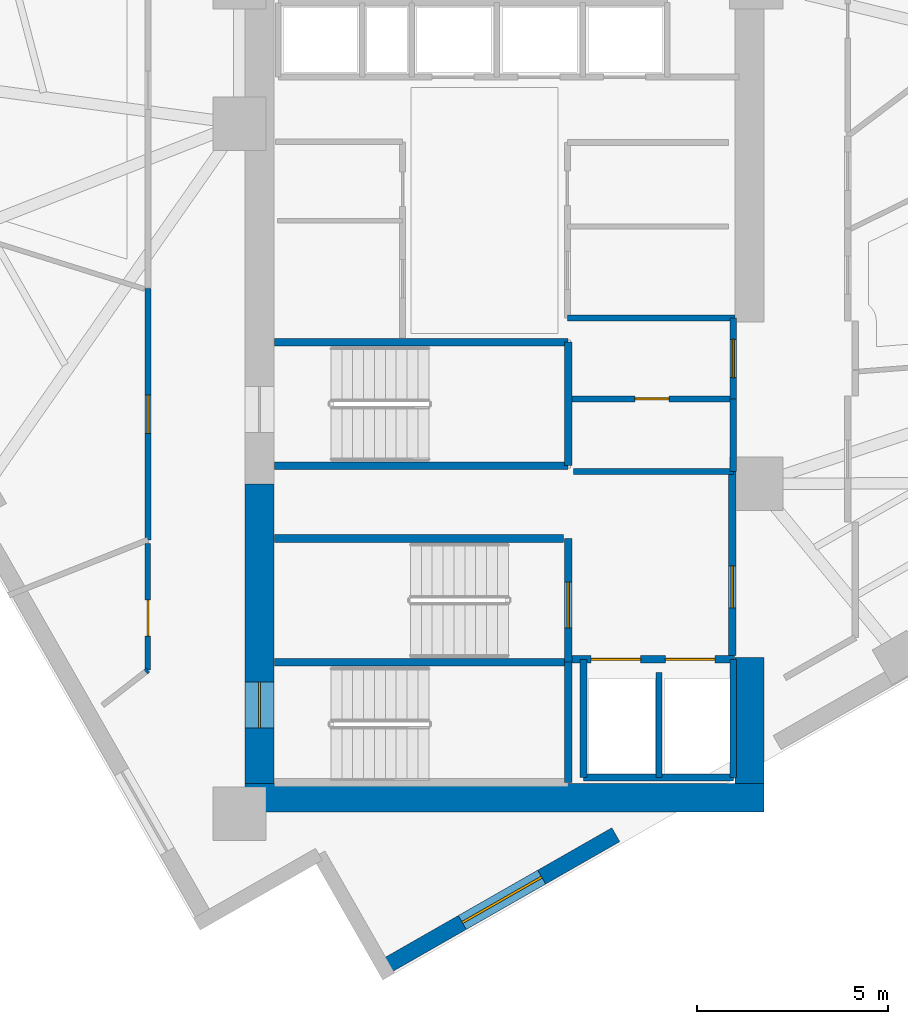
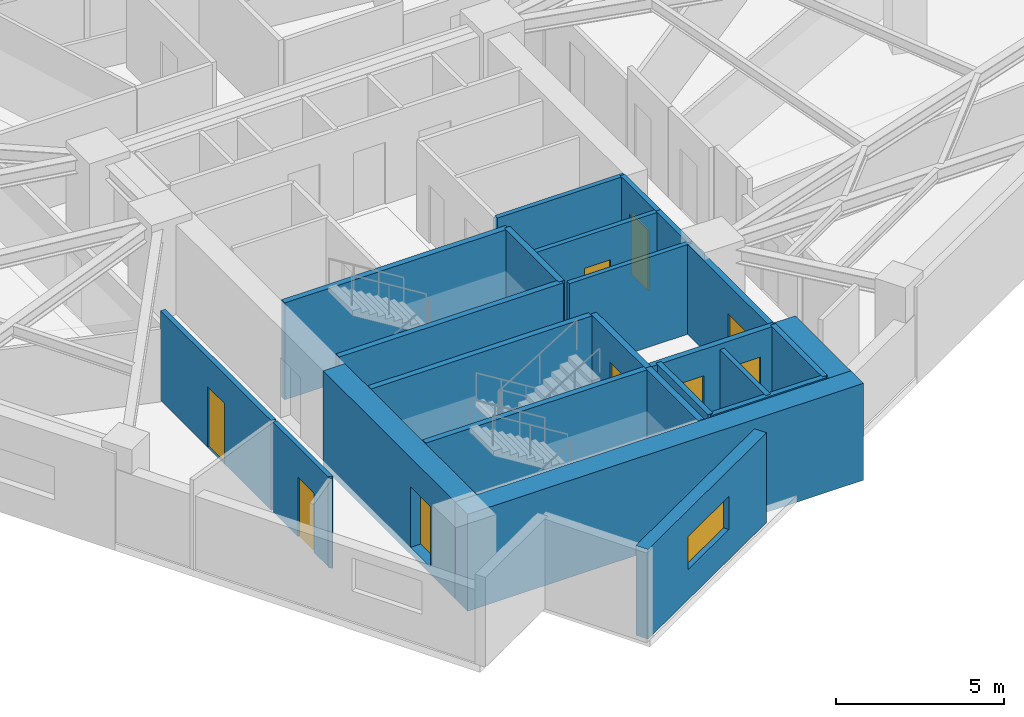
# One storey, part 9 of 14: 25 walls, 9 doors, 1 window, 10 openings.
"""IFC4 building model written with IfcOpenShell, lengths in metres."""

from ifc_helpers import new_model, si_unit, direction, frame, frame_2d, origin, place, context, subcontext, project, spatial, rectangle, extrude, material, layer, layer_set, type_object, element, fill, save


model = new_model("IFC4")

# Units and contexts
model_context = context("Model", 3, precision=1e-05, world=origin(), true_north=direction((0.0, 1.0)))
body_context = subcontext(model_context, "Body", "Model", "MODEL_VIEW")
ifc_project = project(units=[si_unit("LENGTHUNIT", "METRE"), si_unit("AREAUNIT", "SQUARE_METRE"), si_unit("VOLUMEUNIT", "CUBIC_METRE"), si_unit("PLANEANGLEUNIT", "RADIAN"), si_unit("MASSUNIT", "GRAM", prefix="KILO")], contexts=[model_context])

# Site, building, storey
site_placement = place(None, origin())
site = spatial("IfcSite", under=ifc_project, at=site_placement, CompositionType="ELEMENT")
building_placement = place(site_placement, origin())
building = spatial("IfcBuilding", under=site, at=building_placement, Name="Narakoshi Arena Tower", CompositionType="ELEMENT")
storey_placement = place(building_placement, frame((0.0, 0.0, 211.4599609375)))
storey = spatial("IfcBuildingStorey", under=building, at=storey_placement, Name="L57", CompositionType="ELEMENT", Elevation=211.4599609375)

# Wall, opening, door
ifc_material_1 = material(Name="Concrete C50/60", Category="concrete")
ifc_layer_1 = layer(ifc_material_1, 0.75)
ifc_layer_set_1 = layer_set([ifc_layer_1], Name="Concrete C50/60")
wall_type_1 = type_object("IfcWallType", Name="WL-CORE-750", PredefinedType="SHEAR", material=ifc_layer_set_1)
wall_1_placement = place(storey_placement, frame((72.52490234375, 35.5, -0.260009765625), z_axis=(0.0, 0.0, 1.0), x_axis=(0.0, 1.0, 0.0)))
wall_1 = element("IfcWall", 1, at=wall_1_placement, inside=storey, type_object=wall_type_1, Name="L57 Central Core Shear Wall CW-APX-W", PredefinedType="SHEAR", context=body_context, shape_type="SweptSolid", body=[
    extrude(rectangle(XDim=7.85009765625, YDim=0.75, at=frame_2d((3.925048828125, 0.0))), origin(), (0.0, 0.0, 1.0), 3.52001953125),
])
opening_1_placement = place(wall_1_placement, frame((1.449951171875, 0.0, 0.260009765625)))
opening_1 = element("IfcOpeningElement", 2, at=opening_1_placement, cuts=wall_1, Name="Opening D-03", PredefinedType="OPENING", context=body_context, shape_type="SweptSolid", body=[
    extrude(rectangle(XDim=1.199951171875, YDim=2.199951171875, at=frame_2d((0.60009765625, 1.10009765625))), frame((0.0, 0.385009765625, 0.0), z_axis=(0.0, -1.0, 0.0), x_axis=(1.0, 0.0, 0.0)), (0.0, 0.0, 1.0), 0.77001953125),
])
ifc_material_2 = material(Name="Painted galvanized steel", Category="steel")
door_type_1 = type_object("IfcDoorType", Name="DR-STR-1200", OperationType="NOTDEFINED", PredefinedType="USERDEFINED", material=ifc_material_2)
door_1_placement = place(opening_1_placement, frame((1.199951171875, 0.0, 0.0), z_axis=(0.0, 0.0, 1.0), x_axis=(-1.0, 0.0, 0.0)))
door_1 = element("IfcDoor", 3, at=door_1_placement, inside=storey, type_object=door_type_1, Name="DR-L57-001", ObjectType="EXITDOOR", OperationType="SINGLE_SWING_LEFT", OverallHeight=2.199951171875, OverallWidth=1.199951171875, PredefinedType="USERDEFINED", context=body_context, shape_type="SweptSolid", body=[
    extrude(rectangle(XDim=1.199951171875, YDim=2.199951171875, at=frame_2d((0.60009765625, 1.10009765625))), frame((0.0, 0.02490234375, 0.0), z_axis=(0.0, -1.0, 0.0), x_axis=(1.0, 0.0, 0.0)), (0.0, 0.0, 1.0), 0.050048828125),
])
fill(opening_1, door_1)

# Walls
wall_2_placement = place(storey_placement, frame((72.14990234375, 35.125, -0.260009765625), z_axis=(0.0, 0.0, 1.0), x_axis=(1.0, 0.0, 0.0)))
element("IfcWall", 4, at=wall_2_placement, inside=storey, type_object=wall_type_1, Name="L57 Central Core Shear Wall CW-APX-S", PredefinedType="SHEAR", context=body_context, shape_type="SweptSolid", body=[
    extrude(rectangle(XDim=13.60009765625, YDim=0.75, at=frame_2d((6.800048828125, 0.0))), origin(), (0.0, 0.0, 1.0), 3.52001953125),
])
wall_3_placement = place(storey_placement, frame((85.375, 35.5, -0.260009765625), z_axis=(0.0, 0.0, 1.0), x_axis=(0.0, 1.0, 0.0)))
element("IfcWall", 5, at=wall_3_placement, inside=storey, type_object=wall_type_1, Name="L57 Central Core Shear Wall CW-APX-E", PredefinedType="SHEAR", context=body_context, shape_type="SweptSolid", body=[
    extrude(rectangle(XDim=3.300048828125, YDim=0.75, at=frame_2d((1.64990234375, 0.0))), origin(), (0.0, 0.0, 1.0), 3.52001953125),
])

# Wall, opening, door
ifc_material_3 = material(Name="Gypsum plasterboard fire-rated partition")
ifc_layer_2 = layer(ifc_material_3, 0.1650390625)
ifc_layer_set_2 = layer_set([ifc_layer_2], Name="Gypsum plasterboard fire-rated partition")
wall_type_2 = type_object("IfcWallType", Name="WL-CORR-165", PredefinedType="PARTITIONING", material=ifc_layer_set_2)
wall_4_placement = place(storey_placement, frame((84.949951171875, 45.580078125, 0.0), z_axis=(0.0, 0.0, 1.0), x_axis=(0.0, 1.0, 0.0)))
wall_4 = element("IfcWall", 6, at=wall_4_placement, inside=storey, type_object=wall_type_2, Name="L57 Core Wall CPAS-E", PredefinedType="PARTITIONING", context=body_context, shape_type="SweptSolid", body=[
    extrude(rectangle(XDim=2.119873046875, YDim=0.1650390625, at=frame_2d((1.06005859375, 0.0))), origin(), (0.0, 0.0, 1.0), 3.260009765625),
])
opening_2_placement = place(wall_4_placement, frame((0.56005859375, 0.0, 0.0)))
opening_2 = element("IfcOpeningElement", 7, at=opening_2_placement, cuts=wall_4, Name="Opening D-06", PredefinedType="OPENING", context=body_context, shape_type="SweptSolid", body=[
    extrude(rectangle(XDim=1.0, YDim=2.199951171875, at=frame_2d((0.5, 1.10009765625))), frame((0.0, 0.092529296875, 0.0), z_axis=(0.0, -1.0, 0.0), x_axis=(1.0, 0.0, 0.0)), (0.0, 0.0, 1.0), 0.18505859375),
])
ifc_material_4 = material(Name="Stained oak solid-core timber", Category="wood")
door_type_2 = type_object("IfcDoorType", Name="DR-OFF-1000", OperationType="NOTDEFINED", PredefinedType="DOOR", material=ifc_material_4)
door_2_placement = place(opening_2_placement, frame((1.0, 0.0, 0.0), z_axis=(0.0, 0.0, 1.0), x_axis=(-1.0, 0.0, 0.0)))
door_2 = element("IfcDoor", 8, at=door_2_placement, inside=storey, type_object=door_type_2, Name="DR-L57-007", OperationType="SINGLE_SWING_LEFT", OverallHeight=2.199951171875, OverallWidth=1.0, PredefinedType="DOOR", context=body_context, shape_type="SweptSolid", body=[
    extrude(rectangle(XDim=1.0, YDim=2.199951171875, at=frame_2d((0.5, 1.10009765625))), frame((0.0, 0.02490234375, 0.0), z_axis=(0.0, -1.0, 0.0), x_axis=(1.0, 0.0, 0.0)), (0.0, 0.0, 1.0), 0.050048828125),
])
fill(opening_2, door_2)

wall_5_placement = place(storey_placement, frame((69.60009765625, 48.46923828125, 0.0), z_axis=(0.0, 0.0, 1.0), x_axis=(0.0, -1.0, 0.0)))
wall_5 = element("IfcWall", 9, at=wall_5_placement, inside=storey, type_object=wall_type_2, Name="L57 Corridor Partition 01-1", PredefinedType="PARTITIONING", context=body_context, shape_type="SweptSolid", body=[
    extrude(rectangle(XDim=6.586669921875, YDim=0.1650390625, at=frame_2d((3.29345703125, 0.0))), origin(), (0.0, 0.0, 1.0), 3.260009765625),
])
opening_3_placement = place(wall_5_placement, frame((2.79345703125, 0.0, 0.0)))
opening_3 = element("IfcOpeningElement", 10, at=opening_3_placement, cuts=wall_5, Name="Opening D-06", PredefinedType="OPENING", context=body_context, shape_type="SweptSolid", body=[
    extrude(rectangle(XDim=1.0, YDim=2.199951171875, at=frame_2d((0.5, 1.10009765625))), frame((0.0, 0.092529296875, 0.0), z_axis=(0.0, -1.0, 0.0), x_axis=(1.0, 0.0, 0.0)), (0.0, 0.0, 1.0), 0.18505859375),
])
door_3_placement = place(opening_3_placement, frame((1.0, 0.0, 0.0), z_axis=(0.0, 0.0, 1.0), x_axis=(-1.0, 0.0, 0.0)))
door_3 = element("IfcDoor", 11, at=door_3_placement, inside=storey, type_object=door_type_2, Name="DR-L57-016", OperationType="SINGLE_SWING_LEFT", OverallHeight=2.199951171875, OverallWidth=1.0, PredefinedType="DOOR", context=body_context, shape_type="SweptSolid", body=[
    extrude(rectangle(XDim=1.0, YDim=2.199951171875, at=frame_2d((0.5, 1.10009765625))), frame((0.0, 0.02490234375, 0.0), z_axis=(0.0, -1.0, 0.0), x_axis=(1.0, 0.0, 0.0)), (0.0, 0.0, 1.0), 0.050048828125),
])
fill(opening_3, door_3)

# Wall, opening, window
ifc_material_5 = material(Name="Precast concrete C45/55", Category="concrete")
ifc_layer_3 = layer(ifc_material_5, 0.419921875)
ifc_layer_set_3 = layer_set([ifc_layer_3], Name="Precast concrete C45/55")
wall_type_3 = type_object("IfcWallType", Name="WL-POD-420", PredefinedType="SOLIDWALL", material=ifc_layer_set_3)
wall_6_placement = place(storey_placement, frame((75.779296875, 30.6689453125, 0.0), z_axis=(0.0, 0.0, 1.0), x_axis=(0.868213158215, 0.496191406519, 0.0)))
wall_6 = element("IfcWall", 12, at=wall_6_placement, inside=storey, type_object=wall_type_3, Name="L57 Architectural Concrete Facade Wall LEGA-1", PredefinedType="SOLIDWALL", context=body_context, shape_type="SweptSolid", body=[
    extrude(rectangle(XDim=7.015380859375, YDim=0.419921875, at=frame_2d((3.5078125, 0.0))), origin(), (0.0, 0.0, 1.0), 3.260009765625),
])
opening_4_placement = place(wall_6_placement, frame((2.376708984375, 0.0, 1.10009765625)))
opening_4 = element("IfcOpeningElement", 13, at=opening_4_placement, cuts=wall_6, Name="Opening WN-04", PredefinedType="OPENING", context=body_context, shape_type="SweptSolid", body=[
    extrude(rectangle(XDim=2.39990234375, YDim=1.199951171875, at=frame_2d((1.199951171875, 0.60009765625))), frame((0.0, 0.219970703125, 0.0), z_axis=(0.0, -1.0, 0.0), x_axis=(1.0, 0.0, 0.0)), (0.0, 0.0, 1.0), 0.43994140625),
])
ifc_material_6 = material(Name="Bronze-tinted low-E laminated glass", Category="glass")
window_type = type_object("IfcWindowType", Name="WIN-SLT-24x12", PartitioningType="SINGLE_PANEL", PredefinedType="WINDOW", material=ifc_material_6)
window_placement = place(opening_4_placement, origin())
window = element("IfcWindow", 14, at=window_placement, inside=storey, type_object=window_type, Name="L57 LEGA1 Horizontal Slot Window 1", OverallHeight=1.199951171875, OverallWidth=2.39990234375, PartitioningType="SINGLE_PANEL", PredefinedType="WINDOW", context=body_context, shape_type="SweptSolid", body=[
    extrude(rectangle(XDim=2.39990234375, YDim=1.199951171875, at=frame_2d((1.199951171875, 0.60009765625))), frame((0.0, 0.030029296875, 0.0), z_axis=(0.0, -1.0, 0.0), x_axis=(1.0, 0.0, 0.0)), (0.0, 0.0, 1.0), 0.06005859375),
])
fill(opening_4, window)

# Walls
ifc_material_7 = material(Name="Concrete C40/50", Category="concrete")
ifc_layer_4 = layer(ifc_material_7, 0.280029296875)
ifc_layer_set_4 = layer_set([ifc_layer_4], Name="Concrete C40/50")
wall_type_4 = type_object("IfcWallType", Name="WL-RISER-280", PredefinedType="PLUMBINGWALL", material=ifc_layer_set_4)
wall_7_placement = place(storey_placement, frame((83.0, 35.64990234375, 0.0), z_axis=(0.0, 0.0, 1.0), x_axis=(0.0, 1.0, 0.0)))
element("IfcWall", 15, at=wall_7_placement, inside=storey, type_object=wall_type_4, Name="L57 Core Wall FF-DIV", PredefinedType="PLUMBINGWALL", context=body_context, shape_type="SweptSolid", body=[
    extrude(rectangle(XDim=2.75, YDim=0.159912109375, at=frame_2d((1.375, 0.0))), origin(), (0.0, 0.0, 1.0), 3.260009765625),
])
wall_8_placement = place(storey_placement, frame((84.949951171875, 43.679931640625, 0.0), z_axis=(0.0, 0.0, 1.0), x_axis=(0.0, 1.0, 0.0)))
element("IfcWall", 16, at=wall_8_placement, inside=storey, type_object=wall_type_4, Name="L57 Core Wall RSR-E", PredefinedType="PLUMBINGWALL", context=body_context, shape_type="SweptSolid", body=[
    extrude(rectangle(XDim=1.900146484375, YDim=0.1650390625, at=frame_2d((0.9501953125, 0.0))), origin(), (0.0, 0.0, 1.0), 3.260009765625),
])

# Wall, opening, door
wall_9_placement = place(storey_placement, frame((80.719970703125, 45.580078125, 0.0), z_axis=(0.0, 0.0, 1.0), x_axis=(1.0, 0.0, 0.0)))
wall_9 = element("IfcWall", 17, at=wall_9_placement, inside=storey, type_object=wall_type_4, Name="L57 Core Wall RSR-N", PredefinedType="PLUMBINGWALL", context=body_context, shape_type="SweptSolid", body=[
    extrude(rectangle(XDim=4.22998046875, YDim=0.159912109375, at=frame_2d((2.114990234375, 0.0))), origin(), (0.0, 0.0, 1.0), 3.260009765625),
])
opening_5_placement = place(wall_9_placement, frame((1.64990234375, 0.0, 0.0)))
opening_5 = element("IfcOpeningElement", 18, at=opening_5_placement, cuts=wall_9, Name="Opening D-08", PredefinedType="OPENING", context=body_context, shape_type="SweptSolid", body=[
    extrude(rectangle(XDim=0.89990234375, YDim=2.10009765625, at=frame_2d((0.449951171875, 1.050048828125))), frame((0.0, 0.08984375, 0.0), z_axis=(0.0, -1.0, 0.0), x_axis=(1.0, 0.0, 0.0)), (0.0, 0.0, 1.0), 0.179931640625),
])
ifc_material_8 = material(Name="Moisture-resistant laminate timber", Category="wood")
door_type_3 = type_object("IfcDoorType", Name="DR-WC-900", OperationType="NOTDEFINED", PredefinedType="DOOR", material=ifc_material_8)
door_4_placement = place(opening_5_placement, frame((0.89990234375, 0.0, 0.0), z_axis=(0.0, 0.0, 1.0), x_axis=(-1.0, 0.0, 0.0)))
door_4 = element("IfcDoor", 19, at=door_4_placement, inside=storey, type_object=door_type_3, Name="DR-L57-008", OperationType="SINGLE_SWING_LEFT", OverallHeight=2.10009765625, OverallWidth=0.89990234375, PredefinedType="DOOR", context=body_context, shape_type="SweptSolid", body=[
    extrude(rectangle(XDim=0.89990234375, YDim=2.10009765625, at=frame_2d((0.449951171875, 1.050048828125))), frame((0.0, 0.02490234375, 0.0), z_axis=(0.0, -1.0, 0.0), x_axis=(1.0, 0.0, 0.0)), (0.0, 0.0, 1.0), 0.050048828125),
])
fill(opening_5, door_4)

# Walls
wall_10_placement = place(storey_placement, frame((80.760009765625, 43.679931640625, 0.0), z_axis=(0.0, 0.0, 1.0), x_axis=(1.0, 0.0, 0.0)))
element("IfcWall", 20, at=wall_10_placement, inside=storey, type_object=wall_type_4, Name="L57 Core Wall RSR-S", PredefinedType="PLUMBINGWALL", context=body_context, shape_type="SweptSolid", body=[
    extrude(rectangle(XDim=4.18994140625, YDim=0.159912109375, at=frame_2d((2.094970703125, 0.0))), origin(), (0.0, 0.0, 1.0), 3.260009765625),
])
ifc_layer_5 = layer(ifc_material_1, 0.35009765625)
ifc_layer_set_5 = layer_set([ifc_layer_5], Name="Concrete C50/60")
wall_type_5 = type_object("IfcWallType", Name="WL-SHAFT-350", PredefinedType="SOLIDWALL", material=ifc_layer_set_5)
wall_11_placement = place(storey_placement, frame((72.919921875, 38.675048828125, -0.260009765625), z_axis=(0.0, 0.0, 1.0), x_axis=(1.0, 0.0, 0.0)))
element("IfcWall", 21, at=wall_11_placement, inside=storey, type_object=wall_type_5, Name="L57 Core Wall ST12-DIV", PredefinedType="SOLIDWALL", context=body_context, shape_type="SweptSolid", body=[
    extrude(rectangle(XDim=7.7001953125, YDim=0.199951171875, at=frame_2d((3.85009765625, 0.0))), origin(), (0.0, 0.0, 1.0), 3.52001953125),
])
wall_12_placement = place(storey_placement, frame((80.6201171875, 35.52001953125, -0.260009765625), z_axis=(0.0, 0.0, 1.0), x_axis=(0.0, 1.0, 0.0)))
element("IfcWall", 22, at=wall_12_placement, inside=storey, type_object=wall_type_5, Name="L57 Core Wall ST1-E", PredefinedType="SOLIDWALL", context=body_context, shape_type="SweptSolid", body=[
    extrude(rectangle(XDim=3.155029296875, YDim=0.199951171875, at=frame_2d((1.57763671875, 0.0))), origin(), (0.0, 0.0, 1.0), 3.52001953125),
])

# Wall, opening, door
wall_13_placement = place(storey_placement, frame((80.6201171875, 38.675048828125, -0.260009765625), z_axis=(0.0, 0.0, 1.0), x_axis=(0.0, 1.0, 0.0)))
wall_13 = element("IfcWall", 23, at=wall_13_placement, inside=storey, type_object=wall_type_5, Name="L57 Core Wall ST2-E", PredefinedType="SOLIDWALL", context=body_context, shape_type="SweptSolid", body=[
    extrude(rectangle(XDim=3.244873046875, YDim=0.199951171875, at=frame_2d((1.62255859375, 0.0))), origin(), (0.0, 0.0, 1.0), 3.52001953125),
])
opening_6_placement = place(wall_13_placement, frame((0.89990234375, 0.0, 0.260009765625)))
opening_6 = element("IfcOpeningElement", 24, at=opening_6_placement, cuts=wall_13, Name="Opening D-03", PredefinedType="OPENING", context=body_context, shape_type="SweptSolid", body=[
    extrude(rectangle(XDim=1.199951171875, YDim=2.199951171875, at=frame_2d((0.60009765625, 1.10009765625))), frame((0.0, 0.10986328125, 0.0), z_axis=(0.0, -1.0, 0.0), x_axis=(1.0, 0.0, 0.0)), (0.0, 0.0, 1.0), 0.219970703125),
])
door_5_placement = place(opening_6_placement, origin())
door_5 = element("IfcDoor", 25, at=door_5_placement, inside=storey, type_object=door_type_1, Name="DR-L57-002", ObjectType="EXITDOOR", OperationType="SINGLE_SWING_RIGHT", OverallHeight=2.199951171875, OverallWidth=1.199951171875, PredefinedType="USERDEFINED", context=body_context, shape_type="SweptSolid", body=[
    extrude(rectangle(XDim=1.199951171875, YDim=2.199951171875, at=frame_2d((0.60009765625, 1.10009765625))), frame((0.0, 0.02490234375, 0.0), z_axis=(0.0, -1.0, 0.0), x_axis=(1.0, 0.0, 0.0)), (0.0, 0.0, 1.0), 0.050048828125),
])
fill(opening_6, door_5)

# Wall, openings, doors
wall_14_placement = place(storey_placement, frame((80.719970703125, 38.75, 0.0), z_axis=(0.0, 0.0, 1.0), x_axis=(1.0, 0.0, 0.0)))
wall_14 = element("IfcWall", 26, at=wall_14_placement, inside=storey, type_object=wall_type_5, Name="L57 Core Wall FF-N", PredefinedType="SOLIDWALL", context=body_context, shape_type="SweptSolid", body=[
    extrude(rectangle(XDim=4.260009765625, YDim=0.199951171875, at=frame_2d((2.1298828125, 0.0))), origin(), (0.0, 0.0, 1.0), 3.260009765625),
])
opening_7_placement = place(wall_14_placement, frame((0.5, 0.0, 0.0)))
opening_7 = element("IfcOpeningElement", 27, at=opening_7_placement, cuts=wall_14, Name="Opening LD-02", PredefinedType="OPENING", context=body_context, shape_type="SweptSolid", body=[
    extrude(rectangle(XDim=1.300048828125, YDim=2.300048828125, at=frame_2d((0.64990234375, 1.14990234375))), frame((0.0, 0.10986328125, 0.0), z_axis=(0.0, -1.0, 0.0), x_axis=(1.0, 0.0, 0.0)), (0.0, 0.0, 1.0), 0.219970703125),
])
opening_8_placement = place(wall_14_placement, frame((2.449951171875, 0.0, 0.0)))
opening_8 = element("IfcOpeningElement", 28, at=opening_8_placement, cuts=wall_14, Name="Opening LD-02", PredefinedType="OPENING", context=body_context, shape_type="SweptSolid", body=[
    extrude(rectangle(XDim=1.300048828125, YDim=2.300048828125, at=frame_2d((0.64990234375, 1.14990234375))), frame((0.0, 0.10986328125, 0.0), z_axis=(0.0, -1.0, 0.0), x_axis=(1.0, 0.0, 0.0)), (0.0, 0.0, 1.0), 0.219970703125),
])
ifc_material_9 = material(Name="Brushed bronze stainless steel", Category="steel")
door_type_4 = type_object("IfcDoorType", Name="DR-LFT-1300", OperationType="DOUBLE_DOOR_SLIDING", PredefinedType="DOOR", material=ifc_material_9)
door_6_placement = place(opening_7_placement, origin())
door_6 = element("IfcDoor", 29, at=door_6_placement, inside=storey, type_object=door_type_4, Name="DR-L57-003", OperationType="DOUBLE_DOOR_SLIDING", OverallHeight=2.300048828125, OverallWidth=1.300048828125, PredefinedType="DOOR", context=body_context, shape_type="SweptSolid", body=[
    extrude(rectangle(XDim=1.300048828125, YDim=2.300048828125, at=frame_2d((0.64990234375, 1.14990234375))), frame((0.0, 0.02490234375, 0.0), z_axis=(0.0, -1.0, 0.0), x_axis=(1.0, 0.0, 0.0)), (0.0, 0.0, 1.0), 0.050048828125),
])
fill(opening_7, door_6)
door_7_placement = place(opening_8_placement, origin())
door_7 = element("IfcDoor", 30, at=door_7_placement, inside=storey, type_object=door_type_4, Name="DR-L57-004", OperationType="DOUBLE_DOOR_SLIDING", OverallHeight=2.300048828125, OverallWidth=1.300048828125, PredefinedType="DOOR", context=body_context, shape_type="SweptSolid", body=[
    extrude(rectangle(XDim=1.300048828125, YDim=2.300048828125, at=frame_2d((0.64990234375, 1.14990234375))), frame((0.0, 0.02490234375, 0.0), z_axis=(0.0, -1.0, 0.0), x_axis=(1.0, 0.0, 0.0)), (0.0, 0.0, 1.0), 0.050048828125),
])
fill(opening_8, door_7)

# Walls
for number, where, z_axis, x_axis, name in (
    (31, (84.949951171875, 35.64990234375, 0.0), (0.0, 0.0, 1.0), (0.0, 1.0, 0.0), "L57 Core Wall FF-E"),
    (32, (81.02001953125, 35.64990234375, 0.0), (0.0, 0.0, 1.0), (0.0, 1.0, 0.0), "L57 Core Wall FF-W"),
):
    element("IfcWall", number, at=place(storey_placement, frame(where, z_axis=z_axis, x_axis=x_axis)), inside=storey, type_object=wall_type_5, Name=name, PredefinedType="SOLIDWALL", context=body_context, shape_type="SweptSolid", body=[
        extrude(rectangle(XDim=3.10009765625, YDim=0.179931640625, at=frame_2d((1.550048828125, 0.0))), origin(), (0.0, 0.0, 1.0), 3.260009765625),
    ])
wall_15_placement = place(storey_placement, frame((81.02001953125, 35.64990234375, 0.0), z_axis=(0.0, 0.0, 1.0), x_axis=(1.0, 0.0, 0.0)))
element("IfcWall", 33, at=wall_15_placement, inside=storey, type_object=wall_type_5, Name="L57 Core Wall FF-S", PredefinedType="SOLIDWALL", context=body_context, shape_type="SweptSolid", body=[
    extrude(rectangle(XDim=3.929931640625, YDim=0.179931640625, at=frame_2d((1.96484375, 0.0))), origin(), (0.0, 0.0, 1.0), 3.260009765625),
])

# Wall, opening, door
wall_16_placement = place(storey_placement, frame((84.919921875, 38.85009765625, 0.0), z_axis=(0.0, 0.0, 1.0), x_axis=(0.0, 1.0, 0.0)))
wall_16 = element("IfcWall", 34, at=wall_16_placement, inside=storey, type_object=wall_type_5, Name="L57 Core Wall FFLOB-E", PredefinedType="SOLIDWALL", context=body_context, shape_type="SweptSolid", body=[
    extrude(rectangle(XDim=4.829833984375, YDim=0.199951171875, at=frame_2d((2.4150390625, 0.0))), origin(), (0.0, 0.0, 1.0), 3.260009765625),
])
opening_9_placement = place(wall_16_placement, frame((1.25, 0.0, 0.0)))
opening_9 = element("IfcOpeningElement", 35, at=opening_9_placement, cuts=wall_16, Name="Opening D-04", PredefinedType="OPENING", context=body_context, shape_type="SweptSolid", body=[
    extrude(rectangle(XDim=1.10009765625, YDim=2.199951171875, at=frame_2d((0.550048828125, 1.10009765625))), frame((0.0, 0.10986328125, 0.0), z_axis=(0.0, -1.0, 0.0), x_axis=(1.0, 0.0, 0.0)), (0.0, 0.0, 1.0), 0.219970703125),
])
door_type_5 = type_object("IfcDoorType", Name="DR-FFL-1100", OperationType="NOTDEFINED", PredefinedType="DOOR", material=ifc_material_2)
door_8_placement = place(opening_9_placement, frame((1.10009765625, 0.0, 0.0), z_axis=(0.0, 0.0, 1.0), x_axis=(-1.0, 0.0, 0.0)))
door_8 = element("IfcDoor", 36, at=door_8_placement, inside=storey, type_object=door_type_5, Name="DR-L57-005", OperationType="SINGLE_SWING_RIGHT", OverallHeight=2.199951171875, OverallWidth=1.10009765625, PredefinedType="DOOR", context=body_context, shape_type="SweptSolid", body=[
    extrude(rectangle(XDim=1.10009765625, YDim=2.199951171875, at=frame_2d((0.550048828125, 1.10009765625))), frame((0.0, 0.02490234375, 0.0), z_axis=(0.0, -1.0, 0.0), x_axis=(1.0, 0.0, 0.0)), (0.0, 0.0, 1.0), 0.050048828125),
])
fill(opening_9, door_8)

# Walls
wall_17_placement = place(storey_placement, frame((72.919921875, 41.919921875, -0.260009765625), z_axis=(0.0, 0.0, 1.0), x_axis=(1.0, 0.0, 0.0)))
element("IfcWall", 37, at=wall_17_placement, inside=storey, type_object=wall_type_5, Name="L57 Core Wall ST2-N", PredefinedType="SOLIDWALL", context=body_context, shape_type="SweptSolid", body=[
    extrude(rectangle(XDim=7.580078125, YDim=0.199951171875, at=frame_2d((3.7900390625, 0.0))), origin(), (0.0, 0.0, 1.0), 3.52001953125),
])
for number, where, z_axis, x_axis, name in (
    (38, (72.919921875, 43.830078125, -0.260009765625), (0.0, 0.0, 1.0), (1.0, 0.0, 0.0), "L57 Core Wall ST3-S"),
    (39, (72.919921875, 47.070068359375, -0.260009765625), (0.0, 0.0, 1.0), (1.0, 0.0, 0.0), "L57 Core Wall ST3-N"),
):
    element("IfcWall", number, at=place(storey_placement, frame(where, z_axis=z_axis, x_axis=x_axis)), inside=storey, type_object=wall_type_5, Name=name, PredefinedType="SOLIDWALL", context=body_context, shape_type="SweptSolid", body=[
        extrude(rectangle(XDim=7.7001953125, YDim=0.199951171875, at=frame_2d((3.85009765625, 0.0))), origin(), (0.0, 0.0, 1.0), 3.52001953125),
    ])
wall_18_placement = place(storey_placement, frame((80.6201171875, 43.830078125, -0.260009765625), z_axis=(0.0, 0.0, 1.0), x_axis=(0.0, 1.0, 0.0)))
element("IfcWall", 40, at=wall_18_placement, inside=storey, type_object=wall_type_5, Name="L57 Core Wall ST3-E", PredefinedType="SOLIDWALL", context=body_context, shape_type="SweptSolid", body=[
    extrude(rectangle(XDim=3.239990234375, YDim=0.199951171875, at=frame_2d((1.6201171875, 0.0))), origin(), (0.0, 0.0, 1.0), 3.52001953125),
])
wall_19_placement = place(storey_placement, frame((80.60009765625, 47.699951171875, 0.0), z_axis=(0.0, 0.0, 1.0), x_axis=(1.0, 0.0, 0.0)))
element("IfcWall", 41, at=wall_19_placement, inside=storey, type_object=wall_type_5, Name="L57 Core Wall MR-S", PredefinedType="SOLIDWALL", context=body_context, shape_type="SweptSolid", body=[
    extrude(rectangle(XDim=4.39990234375, YDim=0.159912109375, at=frame_2d((2.199951171875, 0.0))), origin(), (0.0, 0.0, 1.0), 3.260009765625),
])

# Wall, opening, door
ifc_material_10 = material(Name="Moisture-resistant cement-board partition")
ifc_layer_6 = layer(ifc_material_10, 0.14501953125)
ifc_layer_set_6 = layer_set([ifc_layer_6], Name="Moisture-resistant cement-board partition")
wall_type_6 = type_object("IfcWallType", Name="WL-WET-145", PredefinedType="PARTITIONING", material=ifc_layer_set_6)
wall_20_placement = place(storey_placement, frame((69.60009765625, 41.79150390625, 0.0), z_axis=(0.0, 0.0, 1.0), x_axis=(0.0, -1.0, 0.0)))
wall_20 = element("IfcWall", 42, at=wall_20_placement, inside=storey, type_object=wall_type_6, Name="L57 Corridor Partition 02-1", PredefinedType="PARTITIONING", context=body_context, shape_type="SweptSolid", body=[
    extrude(rectangle(XDim=3.32177734375, YDim=0.14501953125, at=frame_2d((1.660888671875, 0.0))), origin(), (0.0, 0.0, 1.0), 3.260009765625),
])
opening_10_placement = place(wall_20_placement, frame((1.481689453125, 0.0, 0.0)))
opening_10 = element("IfcOpeningElement", 43, at=opening_10_placement, cuts=wall_20, Name="Opening D-07", PredefinedType="OPENING", context=body_context, shape_type="SweptSolid", body=[
    extrude(rectangle(XDim=0.949951171875, YDim=2.14990234375, at=frame_2d((0.47509765625, 1.074951171875))), frame((0.0, 0.08251953125, 0.0), z_axis=(0.0, -1.0, 0.0), x_axis=(1.0, 0.0, 0.0)), (0.0, 0.0, 1.0), 0.1650390625),
])
door_type_6 = type_object("IfcDoorType", Name="DR-ACC-950", OperationType="NOTDEFINED", PredefinedType="DOOR", material=ifc_material_4)
door_9_placement = place(opening_10_placement, frame((0.949951171875, 0.0, 0.0), z_axis=(0.0, 0.0, 1.0), x_axis=(-1.0, 0.0, 0.0)))
door_9 = element("IfcDoor", 44, at=door_9_placement, inside=storey, type_object=door_type_6, Name="DR-L57-017", OperationType="SINGLE_SWING_RIGHT", OverallHeight=2.14990234375, OverallWidth=0.949951171875, PredefinedType="DOOR", context=body_context, shape_type="SweptSolid", body=[
    extrude(rectangle(XDim=0.949951171875, YDim=2.14990234375, at=frame_2d((0.47509765625, 1.074951171875))), frame((0.0, 0.02490234375, 0.0), z_axis=(0.0, -1.0, 0.0), x_axis=(1.0, 0.0, 0.0)), (0.0, 0.0, 1.0), 0.050048828125),
])
fill(opening_10, door_9)

# Wall
wall_21_placement = place(storey_placement, frame((69.60009765625, 38.4697265625, 0.0), z_axis=(0.0, 0.0, 1.0), x_axis=(-0.789870612442, -0.613273524294, 0.0)))
element("IfcWall", 45, at=wall_21_placement, inside=storey, type_object=wall_type_6, Name="L57 Corridor Partition 02-2", PredefinedType="PARTITIONING", context=body_context, shape_type="SweptSolid", body=[
    extrude(rectangle(XDim=0.075927734375, YDim=0.14501953125, at=frame_2d((0.0380859375, 0.0))), origin(), (0.0, 0.0, 1.0), 3.260009765625),
])

save(model, "model.ifc")
